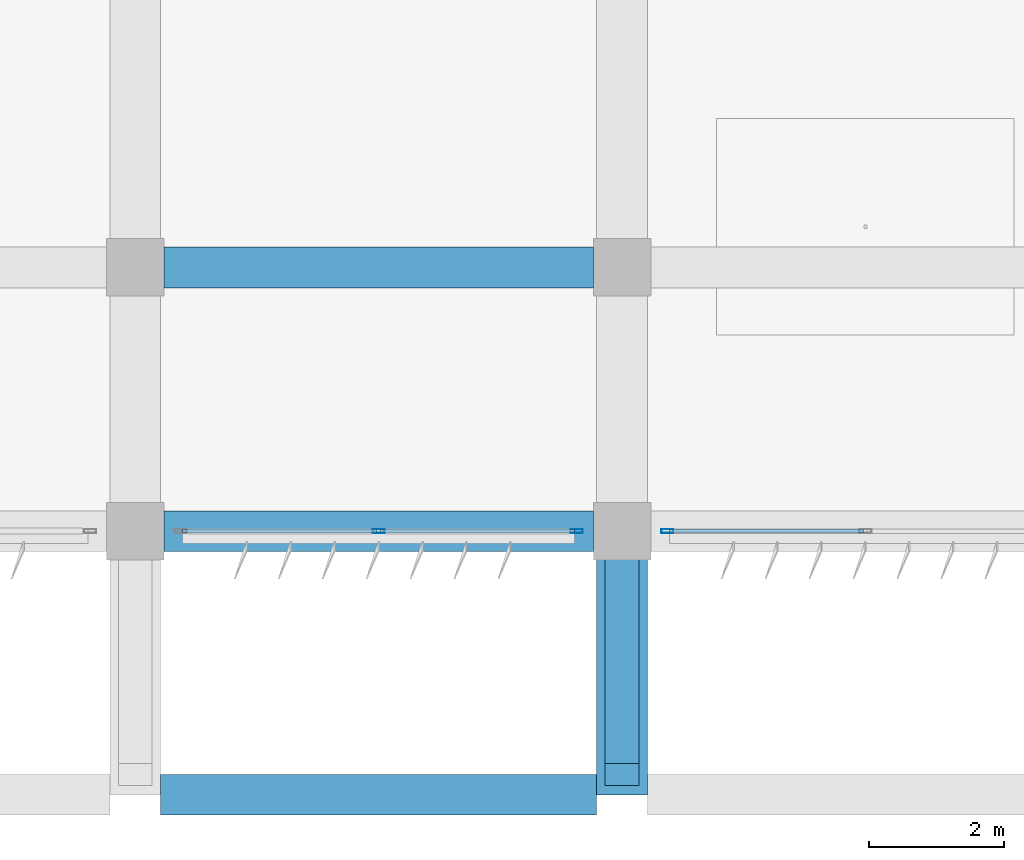
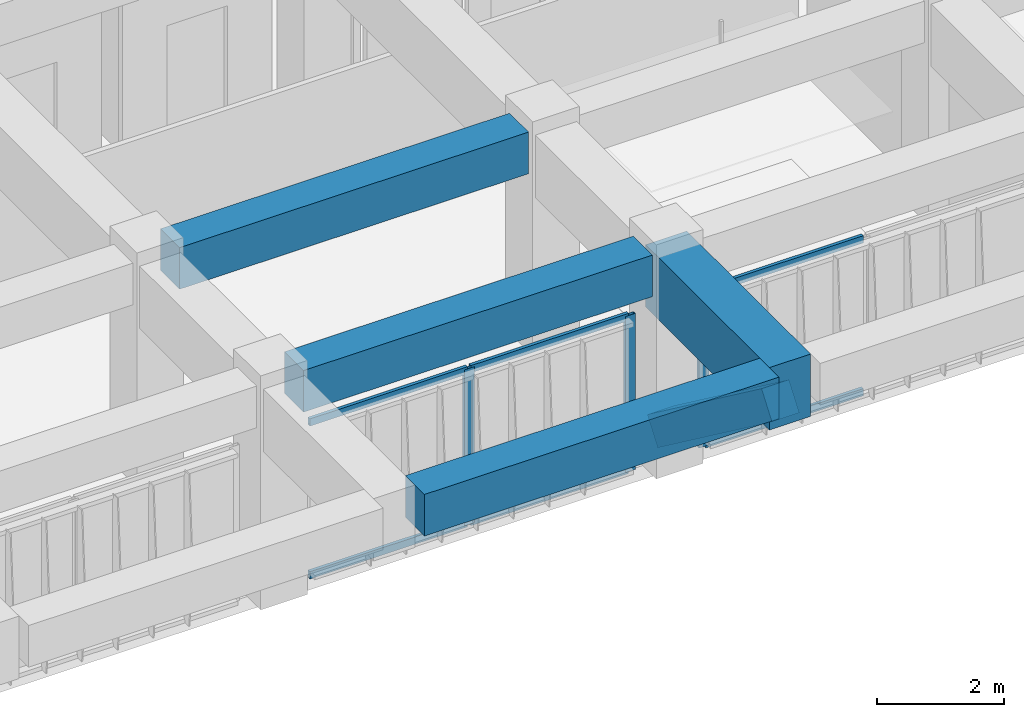
# One storey, part 7 of 56: 10 members, 4 beams, 2 elements without a shape of their own.
"""IFC4 building model written with IfcOpenShell, lengths in metres."""

from ifc_helpers import new_model, si_unit, direction, frame, origin, origin_2d, place, context, subcontext, project, spatial, rectangle, hollow_rectangle, extrude, material, material_profile, profile_set, type_object, element, aggregate, save


model = new_model("IFC4")

# Units and contexts
model_context = context("Model", 3, precision=1e-05, world=origin(), true_north=direction((0.0, 1.0)))
body_context = subcontext(model_context, "Body", "Model", "MODEL_VIEW")
ifc_project = project(units=[si_unit("LENGTHUNIT", "METRE"), si_unit("AREAUNIT", "SQUARE_METRE"), si_unit("VOLUMEUNIT", "CUBIC_METRE"), si_unit("PLANEANGLEUNIT", "RADIAN"), si_unit("MASSUNIT", "GRAM", prefix="KILO")], contexts=[model_context])

# Site, building, storey
site_placement = place(None, origin())
site = spatial("IfcSite", under=ifc_project, at=site_placement, CompositionType="ELEMENT")
building_placement = place(site_placement, origin())
building = spatial("IfcBuilding", under=site, at=building_placement, Name="Kazehaya Institute of Natural Sciences", CompositionType="ELEMENT")
storey_placement = place(building_placement, frame((0.0, 0.0, 24.300048828125)))
storey = spatial("IfcBuildingStorey", under=building, at=storey_placement, Name="L05", CompositionType="ELEMENT", Elevation=24.300048828125)

# Beams
ifc_material_1 = material(Name="Concrete Fc36", Category="concrete")
ifc_material_profile_1 = material_profile(ifc_material_1, rectangle(XDim=0.60009765625, YDim=0.800048828125, at=origin_2d()), Name="RC-600x800")
ifc_profile_set_1 = profile_set([ifc_material_profile_1], Name="Concrete Fc36")
beam_type_1 = type_object("IfcBeamType", Name="BM-G-600x800", PredefinedType="BEAM", material=ifc_profile_set_1)
beam_1_placement = place(storey_placement, frame((76.574951171875, 6.199951171875, 3.829833984375), z_axis=(1.0, 0.0, 0.0), x_axis=(0.0, 1.0, 0.0)))
element("IfcBeam", 1, at=beam_1_placement, inside=storey, type_object=beam_type_1, Name="L05 primary X girder BMX-L05-762-62", PredefinedType="BEAM", context=body_context, shape_type="SweptSolid", body=[
    extrude(rectangle(XDim=0.60009765625, YDim=0.800048828125, at=origin_2d()), origin(), (0.0, 0.0, 1.0), 6.449951171875),
])
for number, where, z_axis, x_axis, name in (
    (2, (76.625, 10.10009765625, 3.829833984375), (1.0, 0.0, 0.0), (0.0, 1.0, 0.0), "L05 primary X girder BMX-L05-762-101"),
    (3, (76.625, 14.0, 3.829833984375), (1.0, 0.0, 0.0), (0.0, 1.0, 0.0), "L05 primary X girder BMX-L05-762-140"),
):
    element("IfcBeam", number, at=place(storey_placement, frame(where, z_axis=z_axis, x_axis=x_axis)), inside=storey, type_object=beam_type_1, Name=name, PredefinedType="BEAM", context=body_context, shape_type="SweptSolid", body=[
        extrude(rectangle(XDim=0.60009765625, YDim=0.800048828125, at=origin_2d()), origin(), (0.0, 0.0, 1.0), 6.35009765625),
    ])
ifc_material_2 = material(Name="Concrete Fc42", Category="concrete")
ifc_material_profile_2 = material_profile(ifc_material_2, rectangle(XDim=0.75, YDim=1.199951171875, at=origin_2d()), Name="RC-750x1200")
ifc_profile_set_2 = profile_set([ifc_material_profile_2], Name="Concrete Fc42")
beam_type_2 = type_object("IfcBeamType", Name="BM-TG-750x1200", PredefinedType="BEAM", material=ifc_profile_set_2)
beam_2_placement = place(storey_placement, frame((83.39990234375, 6.199951171875, 3.6298828125), z_axis=(0.0, 1.0, 0.0), x_axis=(-1.0, 0.0, 0.0)))
element("IfcBeam", 4, at=beam_2_placement, inside=storey, type_object=beam_type_2, Name="L05 cantilever transfer girder 1730", PredefinedType="BEAM", context=body_context, shape_type="SweptSolid", body=[
    extrude(rectangle(XDim=0.75, YDim=1.199951171875, at=origin_2d()), origin(), (0.0, 0.0, 1.0), 3.900146484375),
])

# Curtain wall, member
ifc_material_3 = material(Name="Aluminium alloy A6063S-T5", Category="aluminium")
curtain_wall_type = type_object("IfcCurtainWallType", Name="CW-SYS-04", PredefinedType="NOTDEFINED", material=ifc_material_3)
curtain_wall_1_placement = place(storey_placement, origin())
curtain_wall_1 = element("IfcCurtainWall", 5, at=curtain_wall_1_placement, inside=storey, type_object=curtain_wall_type, Name="L05 unitised curtain wall CW-L05-098", PredefinedType="NOTDEFINED")
ifc_material_profile_3 = material_profile(ifc_material_3, hollow_rectangle(XDim=0.06005859375, YDim=0.179931640625, WallThickness=0.00390625, at=origin_2d()), Name="ALU-60x180x4")
ifc_profile_set_3 = profile_set([ifc_material_profile_3], Name="Aluminium alloy A6063S-T5")
member_type_1 = type_object("IfcMemberType", Name="CWM-180", PredefinedType="MULLION", material=ifc_profile_set_3)
member_1_placement = place(storey_placement, frame((84.070068359375, 10.10009765625, 0.0), z_axis=(0.0, 0.0, 1.0), x_axis=(0.0, -1.0, 0.0)))
member_1 = element("IfcMember", 6, at=member_1_placement, type_object=member_type_1, Name="CW04 mullion 3", PredefinedType="MULLION", context=body_context, shape_type="SweptSolid", body=[
    extrude(hollow_rectangle(XDim=0.06005859375, YDim=0.179931640625, WallThickness=0.00390625, at=origin_2d()), origin(), (0.0, 0.0, 1.0), 3.0),
])

# Curtain wall, members
curtain_wall_2_placement = place(storey_placement, origin())
curtain_wall_2 = element("IfcCurtainWall", 7, at=curtain_wall_2_placement, inside=storey, type_object=curtain_wall_type, Name="L05 unitised curtain wall CW-L05-099", PredefinedType="NOTDEFINED")
member_2_placement = place(storey_placement, frame((82.72998046875, 10.10009765625, 0.0), z_axis=(0.0, 0.0, 1.0), x_axis=(0.0, -1.0, 0.0)))
member_2 = element("IfcMember", 8, at=member_2_placement, type_object=member_type_1, Name="CW04 mullion 1", PredefinedType="MULLION", context=body_context, shape_type="SweptSolid", body=[
    extrude(hollow_rectangle(XDim=0.06005859375, YDim=0.179931640625, WallThickness=0.00390625, at=origin_2d()), origin(), (0.0, 0.0, 1.0), 3.0),
])
member_3_placement = place(storey_placement, frame((79.800048828125, 10.10009765625, 0.0), z_axis=(0.0, 0.0, 1.0), x_axis=(0.0, -1.0, 0.0)))
member_3 = element("IfcMember", 9, at=member_3_placement, type_object=member_type_1, Name="CW04 mullion 2", PredefinedType="MULLION", context=body_context, shape_type="SweptSolid", body=[
    extrude(hollow_rectangle(XDim=0.06005859375, YDim=0.179931640625, WallThickness=0.00390625, at=origin_2d()), origin(), (0.0, 0.0, 1.0), 3.0),
])

# Member
ifc_material_profile_4 = material_profile(ifc_material_3, hollow_rectangle(XDim=0.06005859375, YDim=0.139892578125, WallThickness=0.00341796875, at=origin_2d()), Name="ALU-60x140x3.5")
ifc_profile_set_4 = profile_set([ifc_material_profile_4], Name="Aluminium alloy A6063S-T5")
member_type_2 = type_object("IfcMemberType", Name="CWT-140", PredefinedType="USERDEFINED", material=ifc_profile_set_4)
member_4_placement = place(storey_placement, frame((86.969970703125, 10.10009765625, 0.030029296875), z_axis=(-1.0, 0.0, 0.0), x_axis=(0.0, -1.0, 0.0)))
member_4 = element("IfcMember", 10, at=member_4_placement, type_object=member_type_2, Name="CW04 transom 2.1", ObjectType="TRANSOM", PredefinedType="USERDEFINED", context=body_context, shape_type="SweptSolid", body=[
    extrude(hollow_rectangle(XDim=0.06005859375, YDim=0.139892578125, WallThickness=0.00341796875, at=origin_2d()), origin(), (0.0, 0.0, 1.0), 2.869873046875),
])

member_5_placement = place(storey_placement, frame((86.969970703125, 10.10009765625, 2.969970703125), z_axis=(-1.0, 0.0, 0.0), x_axis=(0.0, -1.0, 0.0)))
member_5 = element("IfcMember", 11, at=member_5_placement, type_object=member_type_2, Name="CW04 transom 2.2", ObjectType="TRANSOM", PredefinedType="USERDEFINED", context=body_context, shape_type="SweptSolid", body=[
    extrude(hollow_rectangle(XDim=0.06005859375, YDim=0.139892578125, WallThickness=0.00341796875, at=origin_2d()), origin(), (0.0, 0.0, 1.0), 2.869873046875),
])

aggregate(curtain_wall_1, [member_1, member_4, member_5])

member_6_placement = place(storey_placement, frame((82.699951171875, 10.10009765625, 0.030029296875), z_axis=(-1.0, 0.0, 0.0), x_axis=(0.0, -1.0, 0.0)))
member_6 = element("IfcMember", 12, at=member_6_placement, type_object=member_type_2, Name="CW04 transom 1.1", ObjectType="TRANSOM", PredefinedType="USERDEFINED", context=body_context, shape_type="SweptSolid", body=[
    extrude(hollow_rectangle(XDim=0.06005859375, YDim=0.139892578125, WallThickness=0.00341796875, at=origin_2d()), origin(), (0.0, 0.0, 1.0), 2.869873046875),
])

member_7_placement = place(storey_placement, frame((82.699951171875, 10.10009765625, 2.969970703125), z_axis=(-1.0, 0.0, 0.0), x_axis=(0.0, -1.0, 0.0)))
member_7 = element("IfcMember", 13, at=member_7_placement, type_object=member_type_2, Name="CW04 transom 1.2", ObjectType="TRANSOM", PredefinedType="USERDEFINED", context=body_context, shape_type="SweptSolid", body=[
    extrude(hollow_rectangle(XDim=0.06005859375, YDim=0.139892578125, WallThickness=0.00341796875, at=origin_2d()), origin(), (0.0, 0.0, 1.0), 2.869873046875),
])

member_8_placement = place(storey_placement, frame((79.77001953125, 10.10009765625, 0.030029296875), z_axis=(-1.0, 0.0, 0.0), x_axis=(0.0, -1.0, 0.0)))
member_8 = element("IfcMember", 14, at=member_8_placement, type_object=member_type_2, Name="CW04 transom 2.1", ObjectType="TRANSOM", PredefinedType="USERDEFINED", context=body_context, shape_type="SweptSolid", body=[
    extrude(hollow_rectangle(XDim=0.06005859375, YDim=0.139892578125, WallThickness=0.00341796875, at=origin_2d()), origin(), (0.0, 0.0, 1.0), 2.8701171875),
])

member_9_placement = place(storey_placement, frame((79.77001953125, 10.10009765625, 2.969970703125), z_axis=(-1.0, 0.0, 0.0), x_axis=(0.0, -1.0, 0.0)))
member_9 = element("IfcMember", 15, at=member_9_placement, type_object=member_type_2, Name="CW04 transom 2.2", ObjectType="TRANSOM", PredefinedType="USERDEFINED", context=body_context, shape_type="SweptSolid", body=[
    extrude(hollow_rectangle(XDim=0.06005859375, YDim=0.139892578125, WallThickness=0.00341796875, at=origin_2d()), origin(), (0.0, 0.0, 1.0), 2.8701171875),
])

aggregate(curtain_wall_2, [member_2, member_3, member_6, member_7, member_8, member_9])

ifc_material_profile_5 = material_profile(ifc_material_2, rectangle(XDim=0.5, YDim=0.550048828125, at=origin_2d()), Name="RC-500x550")
ifc_profile_set_5 = profile_set([ifc_material_profile_5], Name="Concrete Fc42")
member_type_3 = type_object("IfcMemberType", Name="MEM-STRUT-RC500", PredefinedType="BRACE", material=ifc_profile_set_5)
member_10_placement = place(storey_placement, frame((83.39990234375, 10.10009765625, 0.599853515625), z_axis=(0.0, -0.802122938841, 0.597158932768), x_axis=(1.0, 0.0, 0.0)))
element("IfcMember", 16, at=member_10_placement, inside=storey, type_object=member_type_3, Name="L05 raked cantilever strut 015", PredefinedType="BRACE", context=body_context, shape_type="SweptSolid", body=[
    extrude(rectangle(XDim=0.5, YDim=0.550048828125, at=origin_2d()), origin(), (0.0, 0.0, 1.0), 4.48828125),
])

save(model, "model.ifc")
